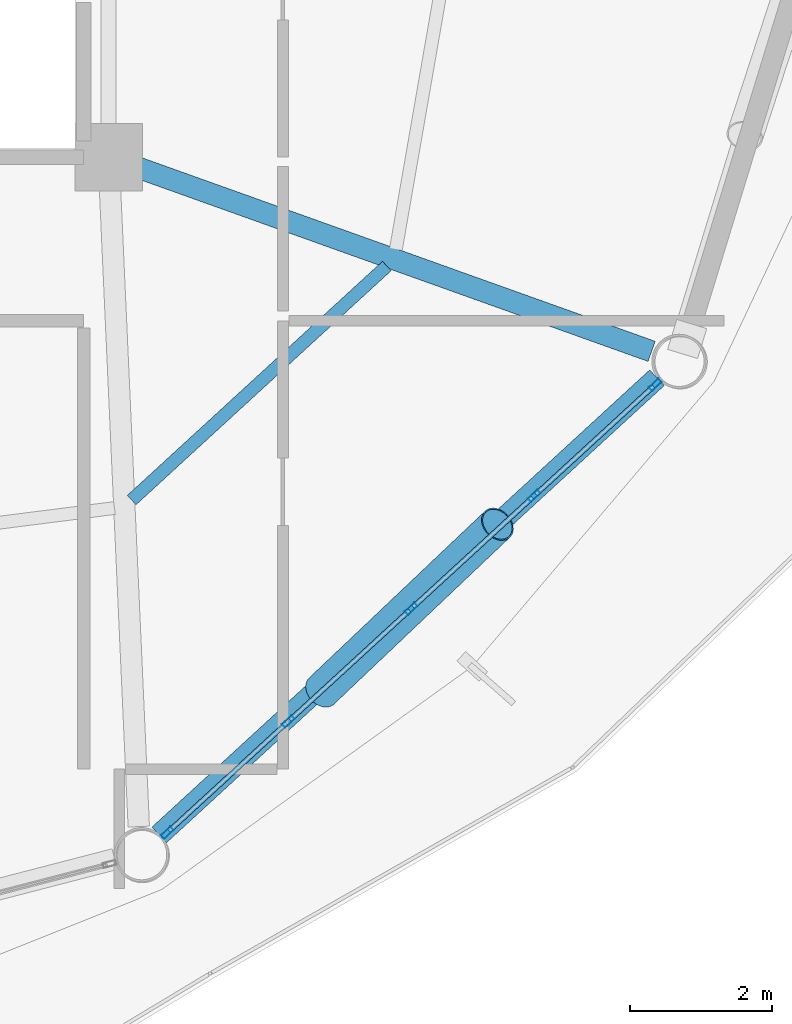
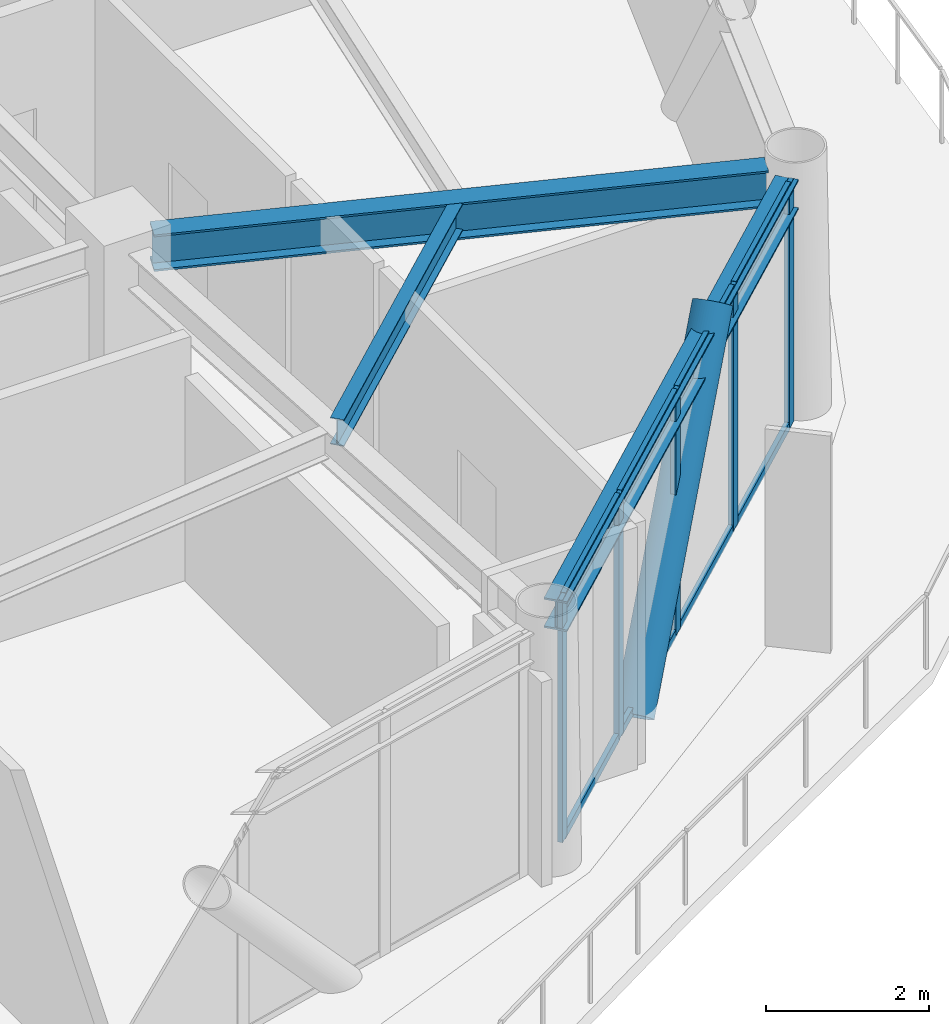
# One storey, part 12 of 23: 14 members, 3 beams, 1 element without a shape of its own.
"""IFC4 building model written with IfcOpenShell, lengths in metres."""

from ifc_helpers import new_model, si_unit, direction, frame, origin, origin_2d, place, context, subcontext, project, spatial, hollow_rectangle, hollow_circle, i_section, extrude, material, layer, layer_set, material_profile, profile_set, type_object, element, aggregate, save


model = new_model("IFC4")

# Units and contexts
model_context = context("Model", 3, precision=1e-05, world=origin(), true_north=direction((0.0, 1.0)))
body_context = subcontext(model_context, "Body", "Model", "MODEL_VIEW")
ifc_project = project(units=[si_unit("LENGTHUNIT", "METRE"), si_unit("AREAUNIT", "SQUARE_METRE"), si_unit("VOLUMEUNIT", "CUBIC_METRE"), si_unit("PLANEANGLEUNIT", "RADIAN"), si_unit("MASSUNIT", "GRAM", prefix="KILO")], contexts=[model_context])

# Site, building, storey
site_placement = place(None, origin())
site = spatial("IfcSite", under=ifc_project, at=site_placement, CompositionType="ELEMENT")
building_placement = place(site_placement, origin())
building = spatial("IfcBuilding", under=site, at=building_placement, Name="Varnakorn Sky Granary", CompositionType="ELEMENT")
storey_placement = place(building_placement, frame((0.0, 0.0, 150.0)))
storey = spatial("IfcBuildingStorey", under=building, at=storey_placement, Name="L37", CompositionType="ELEMENT", Elevation=150.0)

# Beams
ifc_material_1 = material(Name="Steel S355JR", Category="steel")
ifc_material_profile_1 = material_profile(ifc_material_1, i_section(OverallWidth=0.300048828125, OverallDepth=0.550048828125, WebThickness=0.014892578125, FlangeThickness=0.029052734375, at=origin_2d()), Name="HE 550 B")
ifc_profile_set_1 = profile_set([ifc_material_profile_1], Name="Steel S355JR")
beam_type_1 = type_object("IfcBeamType", Name="BM-RAD-Z3", PredefinedType="BEAM", material=ifc_profile_set_1)
beam_1_placement = place(storey_placement, frame((8.74560546875, -6.741455078125, 3.364990234375), z_axis=(0.941579328371, -0.33679128312, 0.0), x_axis=(0.33679128312, 0.941579328371, 0.0)))
element("IfcBeam", 1, at=beam_1_placement, inside=storey, type_object=beam_type_1, Name="Radial Floor Girder RG12 L37", PredefinedType="BEAM", context=body_context, shape_type="SweptSolid", body=[
    extrude(i_section(OverallWidth=0.300048828125, OverallDepth=0.550048828125, WebThickness=0.014892578125, FlangeThickness=0.029052734375, at=origin_2d()), origin(), (0.0, 0.0, 1.0), 7.683349609375),
])
ifc_material_profile_2 = material_profile(ifc_material_1, i_section(OverallWidth=0.179931640625, OverallDepth=0.39990234375, WebThickness=0.008544921875, FlangeThickness=0.013427734375, at=origin_2d()), Name="IPE 400")
ifc_profile_set_2 = profile_set([ifc_material_profile_2], Name="Steel S355JR")
beam_type_2 = type_object("IfcBeamType", Name="BM-SEC-Z3", PredefinedType="BEAM", material=ifc_profile_set_2)
beam_2_placement = place(storey_placement, frame((8.6748046875, -11.41845703125, 3.43994140625), z_axis=(0.736889515213, 0.676013196889, 0.0), x_axis=(-0.676013196889, 0.736889515213, 0.0)))
element("IfcBeam", 2, at=beam_2_placement, inside=storey, type_object=beam_type_2, Name="Secondary Floor Chord Beam MSB11 L37", PredefinedType="BEAM", context=body_context, shape_type="SweptSolid", body=[
    extrude(i_section(OverallWidth=0.179931640625, OverallDepth=0.39990234375, WebThickness=0.008544921875, FlangeThickness=0.013427734375, at=origin_2d()), origin(), (0.0, 0.0, 1.0), 4.86474609375),
])
ifc_material_profile_3 = material_profile(ifc_material_1, i_section(OverallWidth=0.300048828125, OverallDepth=0.449951171875, WebThickness=0.013916015625, FlangeThickness=0.02587890625, at=origin_2d()), Name="HE 450 B")
ifc_profile_set_3 = profile_set([ifc_material_profile_3], Name="Steel S355JR")
beam_type_3 = type_object("IfcBeamType", Name="BM-SPD-Z3", PredefinedType="SPANDREL", material=ifc_profile_set_3)
beam_3_placement = place(storey_placement, frame((9.060546875, -16.12451171875, 3.4150390625), z_axis=(0.736482578833, 0.676456510853, 0.0), x_axis=(-0.676456510853, 0.736482578833, 0.0)))
element("IfcBeam", 3, at=beam_3_placement, inside=storey, type_object=beam_type_3, Name="Perimeter Spandrel Ring Beam RB11 L37", PredefinedType="SPANDREL", context=body_context, shape_type="SweptSolid", body=[
    extrude(i_section(OverallWidth=0.300048828125, OverallDepth=0.449951171875, WebThickness=0.013916015625, FlangeThickness=0.02587890625, at=origin_2d()), origin(), (0.0, 0.0, 1.0), 9.4970703125),
])

# Curtain wall, members
ifc_material_2 = material(Name="Anodised Bronze Aluminium Alloy 6063-T6", Category="aluminium")
ifc_layer = layer(ifc_material_2, 0.179931640625, Name="Anodised Bronze Aluminium Alloy 6063-T6")
ifc_layer_set = layer_set([ifc_layer], Name="Anodised Bronze Aluminium Alloy 6063-T6")
curtain_wall_type = type_object("IfcCurtainWallType", Name="CW-FRM-2", PredefinedType="USERDEFINED", material=ifc_layer_set)
curtain_wall_placement = place(storey_placement, origin())
curtain_wall = element("IfcCurtainWall", 4, at=curtain_wall_placement, inside=storey, type_object=curtain_wall_type, Name="Unitised Curtain Wall CW4 CW-L37-B11", ObjectType="CURTAIN WALL", PredefinedType="USERDEFINED")
ifc_material_profile_4 = material_profile(ifc_material_2, hollow_rectangle(XDim=0.070068359375, YDim=0.18505859375, WallThickness=0.00390625, at=origin_2d()), Name="ALU MULL 70x185")
ifc_profile_set_4 = profile_set([ifc_material_profile_4], Name="Anodised Bronze Aluminium Alloy 6063-T6")
member_type_1 = type_object("IfcMemberType", Name="CW-FRM-2-MULL", PredefinedType="MULLION", material=ifc_profile_set_4)
member_1_placement = place(storey_placement, frame((16.031005859375, -9.79833984375, 0.0), z_axis=(0.0, 0.0, 1.0), x_axis=(0.676226227357, -0.736694027012, 0.0)))
member_1 = element("IfcMember", 5, at=member_1_placement, type_object=member_type_1, Name="CW4 mullion 1", PredefinedType="MULLION", context=body_context, shape_type="SweptSolid", body=[
    extrude(hollow_rectangle(XDim=0.070068359375, YDim=0.18505859375, WallThickness=0.00390625, at=origin_2d()), origin(), (0.0, 0.0, 1.0), 3.639892578125),
])
member_2_placement = place(storey_placement, frame((14.329833984375, -11.35986328125, 0.0), z_axis=(0.0, 0.0, 1.0), x_axis=(0.676226227357, -0.736694027012, 0.0)))
member_2 = element("IfcMember", 6, at=member_2_placement, type_object=member_type_1, Name="CW4 mullion 2", PredefinedType="MULLION", context=body_context, shape_type="SweptSolid", body=[
    extrude(hollow_rectangle(XDim=0.070068359375, YDim=0.18505859375, WallThickness=0.00390625, at=origin_2d()), origin(), (0.0, 0.0, 1.0), 3.639892578125),
])
member_3_placement = place(storey_placement, frame((12.602783203125, -12.945068359375, 0.0), z_axis=(0.0, 0.0, 1.0), x_axis=(0.676226227357, -0.736694027012, 0.0)))
member_3 = element("IfcMember", 7, at=member_3_placement, type_object=member_type_1, Name="CW4 mullion 3", PredefinedType="MULLION", context=body_context, shape_type="SweptSolid", body=[
    extrude(hollow_rectangle(XDim=0.070068359375, YDim=0.18505859375, WallThickness=0.00390625, at=origin_2d()), origin(), (0.0, 0.0, 1.0), 3.639892578125),
])
member_4_placement = place(storey_placement, frame((10.8759765625, -14.5302734375, 0.0), z_axis=(0.0, 0.0, 1.0), x_axis=(0.676226227357, -0.736694027012, 0.0)))
member_4 = element("IfcMember", 8, at=member_4_placement, type_object=member_type_1, Name="CW4 mullion 4", PredefinedType="MULLION", context=body_context, shape_type="SweptSolid", body=[
    extrude(hollow_rectangle(XDim=0.070068359375, YDim=0.18505859375, WallThickness=0.00390625, at=origin_2d()), origin(), (0.0, 0.0, 1.0), 3.639892578125),
])
member_5_placement = place(storey_placement, frame((9.1748046875, -16.092041015625, 0.0), z_axis=(0.0, 0.0, 1.0), x_axis=(0.676226227357, -0.736694027012, 0.0)))
member_5 = element("IfcMember", 9, at=member_5_placement, type_object=member_type_1, Name="CW4 mullion 5", PredefinedType="MULLION", context=body_context, shape_type="SweptSolid", body=[
    extrude(hollow_rectangle(XDim=0.070068359375, YDim=0.18505859375, WallThickness=0.00390625, at=origin_2d()), origin(), (0.0, 0.0, 1.0), 3.639892578125),
])
ifc_material_profile_5 = material_profile(ifc_material_2, hollow_rectangle(XDim=0.06494140625, YDim=0.1201171875, WallThickness=0.00341796875, at=origin_2d()), Name="ALU TRAN 65x120")
ifc_profile_set_5 = profile_set([ifc_material_profile_5], Name="Anodised Bronze Aluminium Alloy 6063-T6")
member_type_2 = type_object("IfcMemberType", Name="CW-FRM-2-TRAN", PredefinedType="USERDEFINED", material=ifc_profile_set_5)
member_6_placement = place(storey_placement, frame((16.005126953125, -9.822021484375, 0.032470703125), z_axis=(-0.73666512499, -0.676257712432, 0.0), x_axis=(0.676257712432, -0.73666512499, 0.0)))
member_6 = element("IfcMember", 10, at=member_6_placement, type_object=member_type_2, Name="CW4 transom 1.1", ObjectType="TRANSOM", PredefinedType="USERDEFINED", context=body_context, shape_type="SweptSolid", body=[
    extrude(hollow_rectangle(XDim=0.06494140625, YDim=0.1201171875, WallThickness=0.00341796875, at=origin_2d()), origin(), (0.0, 0.0, 1.0), 2.239013671875),
])
member_7_placement = place(storey_placement, frame((16.005126953125, -9.822021484375, 3.607421875), z_axis=(-0.73666512499, -0.676257712432, 0.0), x_axis=(0.676257712432, -0.73666512499, 0.0)))
member_7 = element("IfcMember", 11, at=member_7_placement, type_object=member_type_2, Name="CW4 transom 1.2", ObjectType="TRANSOM", PredefinedType="USERDEFINED", context=body_context, shape_type="SweptSolid", body=[
    extrude(hollow_rectangle(XDim=0.06494140625, YDim=0.1201171875, WallThickness=0.00341796875, at=origin_2d()), origin(), (0.0, 0.0, 1.0), 2.239013671875),
])
member_8_placement = place(storey_placement, frame((14.303955078125, -11.383544921875, 0.032470703125), z_axis=(-0.736681590659, -0.676239775512, 0.0), x_axis=(0.676239775512, -0.736681590659, 0.0)))
member_8 = element("IfcMember", 12, at=member_8_placement, type_object=member_type_2, Name="CW4 transom 2.1", ObjectType="TRANSOM", PredefinedType="USERDEFINED", context=body_context, shape_type="SweptSolid", body=[
    extrude(hollow_rectangle(XDim=0.06494140625, YDim=0.1201171875, WallThickness=0.00341796875, at=origin_2d()), origin(), (0.0, 0.0, 1.0), 2.274169921875),
])
member_9_placement = place(storey_placement, frame((14.303955078125, -11.383544921875, 3.607421875), z_axis=(-0.736681590659, -0.676239775512, 0.0), x_axis=(0.676239775512, -0.736681590659, 0.0)))
member_9 = element("IfcMember", 13, at=member_9_placement, type_object=member_type_2, Name="CW4 transom 2.2", ObjectType="TRANSOM", PredefinedType="USERDEFINED", context=body_context, shape_type="SweptSolid", body=[
    extrude(hollow_rectangle(XDim=0.06494140625, YDim=0.1201171875, WallThickness=0.00341796875, at=origin_2d()), origin(), (0.0, 0.0, 1.0), 2.274169921875),
])
member_10_placement = place(storey_placement, frame((12.5771484375, -12.96875, 0.032470703125), z_axis=(-0.736730679074, -0.676186295714, 0.0), x_axis=(0.676186295714, -0.736730679074, 0.0)))
member_10 = element("IfcMember", 14, at=member_10_placement, type_object=member_type_2, Name="CW4 transom 3.1", ObjectType="TRANSOM", PredefinedType="USERDEFINED", context=body_context, shape_type="SweptSolid", body=[
    extrude(hollow_rectangle(XDim=0.06494140625, YDim=0.1201171875, WallThickness=0.00341796875, at=origin_2d()), origin(), (0.0, 0.0, 1.0), 2.274169921875),
])
member_11_placement = place(storey_placement, frame((12.5771484375, -12.96875, 3.607421875), z_axis=(-0.736730679074, -0.676186295714, 0.0), x_axis=(0.676186295714, -0.736730679074, 0.0)))
member_11 = element("IfcMember", 15, at=member_11_placement, type_object=member_type_2, Name="CW4 transom 3.2", ObjectType="TRANSOM", PredefinedType="USERDEFINED", context=body_context, shape_type="SweptSolid", body=[
    extrude(hollow_rectangle(XDim=0.06494140625, YDim=0.1201171875, WallThickness=0.00341796875, at=origin_2d()), origin(), (0.0, 0.0, 1.0), 2.274169921875),
])
member_12_placement = place(storey_placement, frame((10.85009765625, -14.553955078125, 0.032470703125), z_axis=(-0.736660671325, -0.676262563893, 0.0), x_axis=(0.676262563893, -0.736660671325, 0.0)))
member_12 = element("IfcMember", 16, at=member_12_placement, type_object=member_type_2, Name="CW4 transom 4.1", ObjectType="TRANSOM", PredefinedType="USERDEFINED", context=body_context, shape_type="SweptSolid", body=[
    extrude(hollow_rectangle(XDim=0.06494140625, YDim=0.1201171875, WallThickness=0.00341796875, at=origin_2d()), origin(), (0.0, 0.0, 1.0), 2.2392578125),
])
member_13_placement = place(storey_placement, frame((10.85009765625, -14.553955078125, 3.607421875), z_axis=(-0.736660671325, -0.676262563893, 0.0), x_axis=(0.676262563893, -0.736660671325, 0.0)))
member_13 = element("IfcMember", 17, at=member_13_placement, type_object=member_type_2, Name="CW4 transom 4.2", ObjectType="TRANSOM", PredefinedType="USERDEFINED", context=body_context, shape_type="SweptSolid", body=[
    extrude(hollow_rectangle(XDim=0.06494140625, YDim=0.1201171875, WallThickness=0.00341796875, at=origin_2d()), origin(), (0.0, 0.0, 1.0), 2.2392578125),
])
aggregate(curtain_wall, [member_1, member_2, member_3, member_4, member_5, member_6, member_7, member_8, member_9, member_10, member_11, member_12, member_13])

# Member
ifc_material_3 = material(Name="Steel S460M", Category="steel")
ifc_material_profile_6 = material_profile(ifc_material_3, hollow_circle(Radius=0.25390625, WallThickness=0.01806640625, at=origin_2d()), Name="CHS 508x18")
ifc_profile_set_6 = profile_set([ifc_material_profile_6], Name="Steel S460M")
member_type_3 = type_object("IfcMemberType", Name="MB-DIAG-T2", PredefinedType="BRACE", material=ifc_profile_set_6)
member_14_placement = place(storey_placement, frame((11.34326171875, -14.101318359375, -0.1298828125), z_axis=(0.475761741286, 0.451167158831, 0.755048978757), x_axis=(-0.688102651653, 0.725613354886, 0.0)))
element("IfcMember", 18, at=member_14_placement, inside=storey, type_object=member_type_3, Name="Perimeter CHS Diagrid Brace DG11 L37", PredefinedType="BRACE", context=body_context, shape_type="SweptSolid", body=[
    extrude(hollow_circle(Radius=0.25390625, WallThickness=0.01806640625, at=origin_2d()), origin(), (0.0, 0.0, 1.0), 5.191650390625),
])

save(model, "model.ifc")
